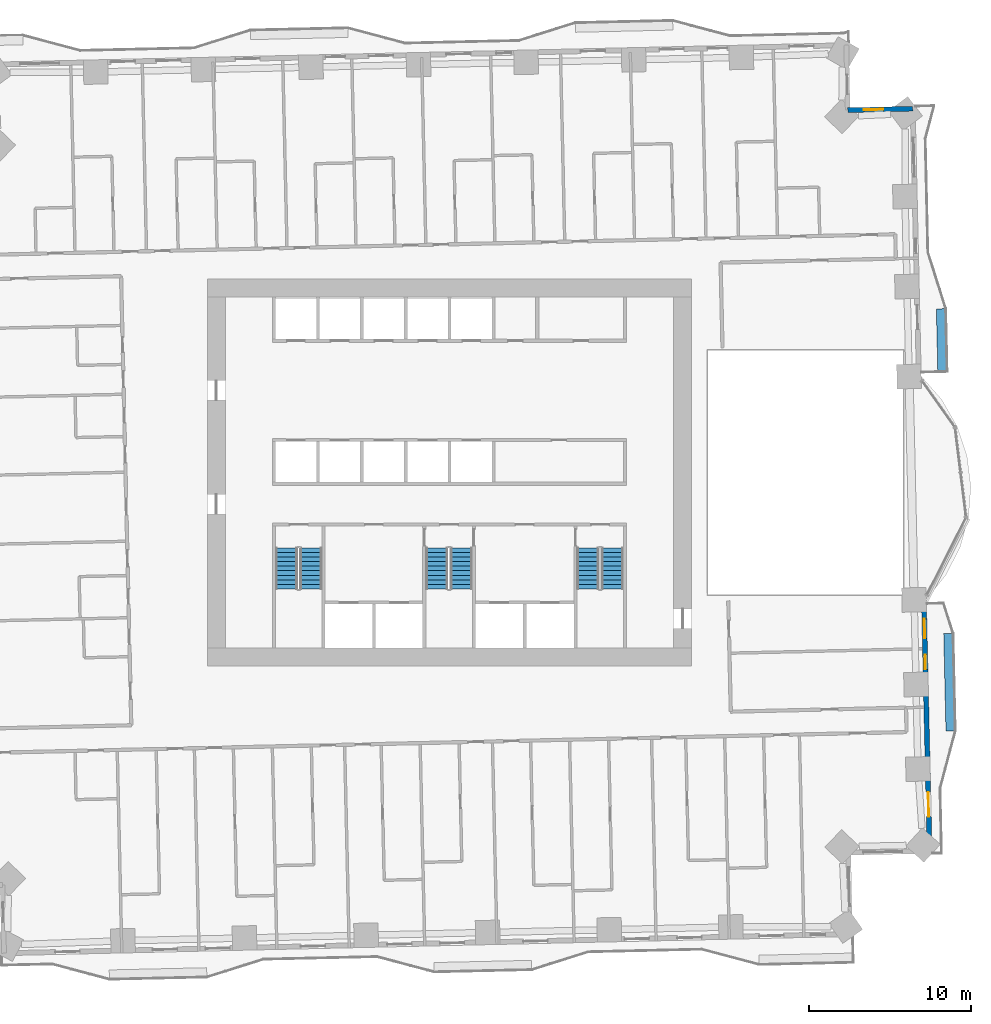
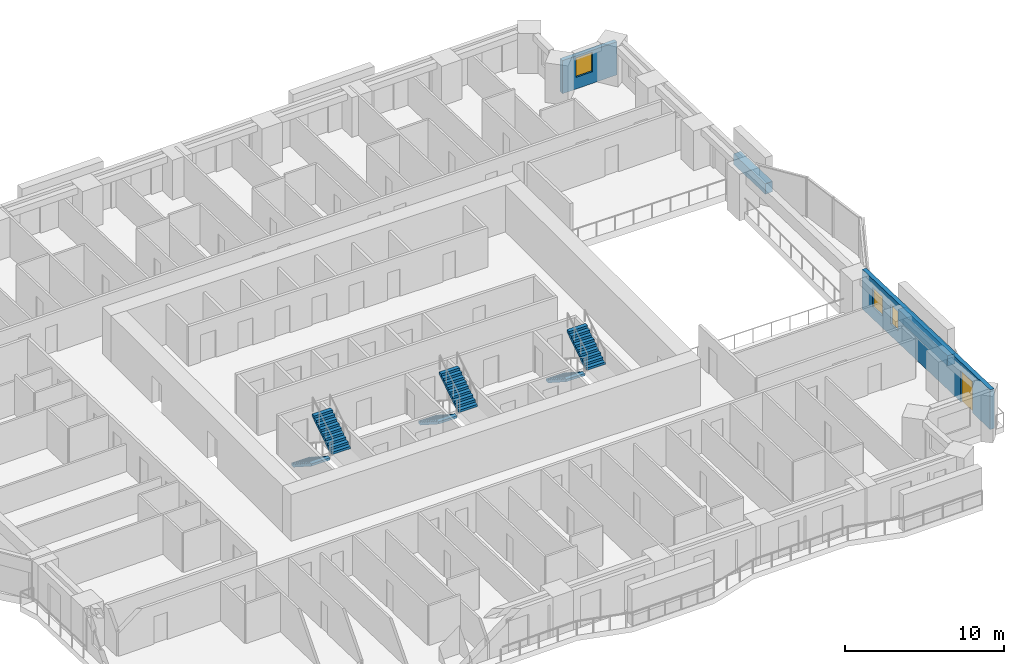
# One storey, part 12 of 16: 6 stair flights, 4 walls, 3 windows, 1 door, 4 openings, 3 elements without a shape of their own.
"""IFC4 building model written with IfcOpenShell, lengths in metres."""

import ifcopenshell
import ifcopenshell.guid

model = None  # the IFC model being written
_history = None  # IfcOwnerHistory: only IFC2X3 demands one
_inside = {}  # id of a spatial element -> (the spatial element, [elements in it])
_under = {}  # id of a project, library or spatial element -> (it, [spatial elements below it])
_declared = {}  # id of a project -> (the project, [libraries it declares])
_typed = {}  # id of a type object -> (the type object, [elements of that type])
_made_of = {}  # id of a material, layer set ... -> (it, [elements and type objects made of it])


def new_model(schema):
    """Start an empty IFC model of exactly this schema.

    Asked for "IFC4X3", IfcOpenShell would pick the latest addendum, in which some entities
    have other attributes; the version numbers below select the first issue.
    IFC2X3 requires an IfcOwnerHistory on every rooted entity: one is made here for all.
    """
    global model, _history
    if schema == "IFC4X3":
        model = ifcopenshell.file(schema_version=(4, 3, 0, 0))
    else:
        model = ifcopenshell.file(schema=schema)
    _inside.clear()
    _under.clear()
    _declared.clear()
    _typed.clear()
    _made_of.clear()
    _history = None
    if model.schema == "IFC2X3":
        org = make("IfcOrganization", Name="unknown")
        user = make(
            "IfcPersonAndOrganization",
            ThePerson=make("IfcPerson", FamilyName="unknown"),
            TheOrganization=org,
        )
        app = make(
            "IfcApplication",
            ApplicationDeveloper=org,
            Version="unknown",
            ApplicationFullName="unknown",
            ApplicationIdentifier="unknown",
        )
        _history = make(
            "IfcOwnerHistory",
            OwningUser=user,
            OwningApplication=app,
            ChangeAction="ADDED",
            CreationDate=0,
        )
    return model


def make(cls, **values):
    """One entity of the class cls with the attributes given. An attribute that is None is left unset."""
    return model.create_entity(
        cls, **{name: value for name, value in values.items() if value is not None}
    )


def rooted(cls, **values):
    """An entity with a GlobalId (a new one), such as an element, a storey or a relation."""
    return make(cls, GlobalId=ifcopenshell.guid.new(), OwnerHistory=_history, **values)


def si_unit(unit_type, name, prefix=None):
    """IfcSIUnit, for example si_unit("LENGTHUNIT", "METRE", prefix="MILLI")."""
    return make("IfcSIUnit", UnitType=unit_type, Prefix=prefix, Name=name)


def assignment(units):
    """IfcUnitAssignment: the units of a project."""
    return None if units is None else make("IfcUnitAssignment", Units=units)


def point(xyz):
    """IfcCartesianPoint."""
    return None if xyz is None else make("IfcCartesianPoint", Coordinates=xyz)


def direction(xyz):
    """IfcDirection."""
    return None if xyz is None else make("IfcDirection", DirectionRatios=xyz)


def frame(location, z_axis=None, x_axis=None):
    """IfcAxis2Placement3D, a coordinate frame: its origin and axes. An axis left out is left unset."""
    return make(
        "IfcAxis2Placement3D",
        Location=point(location),
        Axis=direction(z_axis),
        RefDirection=direction(x_axis),
    )


def frame_2d(location, x_axis=None):
    """IfcAxis2Placement2D, a coordinate frame in the plane: its origin and x axis."""
    return make(
        "IfcAxis2Placement2D", Location=point(location), RefDirection=direction(x_axis)
    )


def origin():
    """The frame at (0, 0, 0) with its axes left unset."""
    return frame((0.0, 0.0, 0.0))


def place(relative_to, where):
    """IfcLocalPlacement: puts the frame where relative to a parent placement (None: the world)."""
    return make(
        "IfcLocalPlacement", PlacementRelTo=relative_to, RelativePlacement=where
    )


def context(
    kind, dimensions, precision=None, world=None, true_north=None, identifier=None
):
    """IfcGeometricRepresentationContext, for example the 3D "Model" context."""
    return make(
        "IfcGeometricRepresentationContext",
        ContextIdentifier=identifier,
        ContextType=kind,
        CoordinateSpaceDimension=dimensions,
        Precision=precision,
        WorldCoordinateSystem=world,
        TrueNorth=true_north,
    )


def subcontext(parent, identifier, kind, view, scale=None):
    """IfcGeometricRepresentationSubContext, for example "Body" below "Model"."""
    return make(
        "IfcGeometricRepresentationSubContext",
        ContextIdentifier=identifier,
        ContextType=kind,
        ParentContext=parent,
        TargetScale=scale,
        TargetView=view,
    )


def project(units=None, contexts=None):
    """IfcProject with its units and contexts."""
    return rooted(
        "IfcProject",
        Name="project",
        RepresentationContexts=contexts,
        UnitsInContext=assignment(units),
    )


def spatial(cls, under=None, at=None, **own):
    """A site, building, storey or space (cls), placed at a placement, below another one or the project."""
    s = rooted(cls, ObjectPlacement=at, **own)
    if under is not None:
        _under.setdefault(under.id(), (under, []))[1].append(s)
    return s


def polyline(points):
    """IfcPolyline through the points."""
    return make("IfcPolyline", Points=[point(p) for p in points])


def profile(cls, at=None, kind="AREA", **sizes):
    """A parametric profile (cls). Its sizes go by their IFC names, for example OverallWidth=200.0."""
    return make(cls, ProfileType=kind, Position=at, **sizes)


def rectangle(**sizes):
    """IfcRectangleProfileDef."""
    return profile("IfcRectangleProfileDef", **sizes)


def outline(outer, holes=None, kind="AREA"):
    """IfcArbitraryClosedProfileDef: a profile drawn as a closed curve; with holes, ...WithVoids."""
    if holes is None:
        return make("IfcArbitraryClosedProfileDef", ProfileType=kind, OuterCurve=outer)
    return make(
        "IfcArbitraryProfileDefWithVoids",
        ProfileType=kind,
        OuterCurve=outer,
        InnerCurves=holes,
    )


def extrude(swept, where, along, depth):
    """IfcExtrudedAreaSolid: the profile swept, set in the frame where, extruded along a direction by depth."""
    return make(
        "IfcExtrudedAreaSolid",
        SweptArea=swept,
        Position=where,
        ExtrudedDirection=direction(along),
        Depth=depth,
    )


def shape(context_of_items, identifier, shape_type, items):
    """IfcShapeRepresentation: the items that make up one representation, for example the "Body"."""
    return make(
        "IfcShapeRepresentation",
        ContextOfItems=context_of_items,
        RepresentationIdentifier=identifier,
        RepresentationType=shape_type,
        Items=items,
    )


def material(Name=None, Category=None):
    """IfcMaterial."""
    return make("IfcMaterial", Name=Name, Category=Category)


def layer(
    of_material, thickness, ventilated=None, Name=None, Category=None, Priority=None
):
    """IfcMaterialLayer: one layer of a wall or slab, of a material (None: an air gap)."""
    return make(
        "IfcMaterialLayer",
        Material=of_material,
        LayerThickness=thickness,
        IsVentilated=ventilated,
        Name=Name,
        Category=Category,
        Priority=Priority,
    )


def layer_set(layers, Name=None):
    """IfcMaterialLayerSet."""
    return make("IfcMaterialLayerSet", MaterialLayers=layers, LayerSetName=Name)


def made_of(thing, what):
    """Note that an element or type object is made of a material, layer set ...; save() writes the relation."""
    if what is not None:
        _made_of.setdefault(what.id(), (what, []))[1].append(thing)
    return thing


def type_object(cls, material=None, **own):
    """A type object (cls), such as IfcWallType, which elements share."""
    return made_of(rooted(cls, **own), material)


def element(
    cls,
    number,
    at=None,
    inside=None,
    cuts=None,
    type_object=None,
    material=None,
    context=None,
    identifier="Body",
    shape_type=None,
    held_by="IfcProductDefinitionShape",
    body=None,
    shapes=None,
    **own,
):
    """One element of the class cls, such as IfcWall. Its Tag is "e" and its number.

    at: its placement. inside: the storey or other place that contains it. cuts: it is an
    opening in that element (IfcRelVoidsElement). A single representation is given by context,
    identifier, shape_type and body (its items); several are given by shapes. held_by: the class
    of the entity that holds the representations. save() writes the other relations.
    """
    e = rooted(cls, Tag="e%d" % number, ObjectPlacement=at, **own)
    if body is not None:
        shapes = [shape(context, identifier, shape_type, body)]
    if shapes is not None:
        e.Representation = make(held_by, Representations=shapes)
    if inside is not None:
        _inside.setdefault(inside.id(), (inside, []))[1].append(e)
    if cuts is not None:
        rooted(
            "IfcRelVoidsElement", RelatingBuildingElement=cuts, RelatedOpeningElement=e
        )
    if type_object is not None:
        _typed.setdefault(type_object.id(), (type_object, []))[1].append(e)
    return made_of(e, material)


def fill(opening, filler):
    """IfcRelFillsElement: the door or window that sits in an opening."""
    return rooted(
        "IfcRelFillsElement",
        RelatingOpeningElement=opening,
        RelatedBuildingElement=filler,
    )


def aggregate(whole, parts):
    """IfcRelAggregates: a whole, such as a stair, and the parts it consists of."""
    return rooted("IfcRelAggregates", RelatingObject=whole, RelatedObjects=parts)


def save(model, path):
    """Write the relations noted so far, then the file.

    IfcRelAggregates (storeys below a building ...), IfcRelContainedInSpatialStructure (elements
    in a storey), IfcRelDefinesByType, IfcRelAssociatesMaterial and IfcRelDeclares: one each for
    every whole, place, type object, material and project.
    """
    for whole, parts in _under.values():
        aggregate(whole, parts)
    for where, things in _inside.values():
        rooted(
            "IfcRelContainedInSpatialStructure",
            RelatedElements=things,
            RelatingStructure=where,
        )
    for kind, things in _typed.values():
        rooted("IfcRelDefinesByType", RelatedObjects=things, RelatingType=kind)
    for what, things in _made_of.values():
        rooted("IfcRelAssociatesMaterial", RelatedObjects=things, RelatingMaterial=what)
    for by, libraries in _declared.values():
        rooted("IfcRelDeclares", RelatingContext=by, RelatedDefinitions=libraries)
    model.write(path)


model = new_model("IFC4")

# Units and contexts
model_context = context("Model", 3, precision=1e-05, world=origin(), true_north=direction((0.0, 1.0)))
body_context = subcontext(model_context, "Body", "Model", "MODEL_VIEW")
ifc_project = project(units=[si_unit("LENGTHUNIT", "METRE"), si_unit("AREAUNIT", "SQUARE_METRE"), si_unit("VOLUMEUNIT", "CUBIC_METRE"), si_unit("PLANEANGLEUNIT", "RADIAN"), si_unit("MASSUNIT", "GRAM", prefix="KILO")], contexts=[model_context])

# Site, building, storey
site_placement = place(None, origin())
site = spatial("IfcSite", under=ifc_project, at=site_placement, CompositionType="ELEMENT")
building_placement = place(site_placement, origin())
building = spatial("IfcBuilding", under=site, at=building_placement, Name="Mangrove Gate Tower", CompositionType="ELEMENT")
storey_placement = place(building_placement, frame((0.0, 0.0, 48.5)))
storey = spatial("IfcBuildingStorey", under=building, at=storey_placement, Name="L11", CompositionType="ELEMENT", Elevation=48.5)

# Wall, openings, door, windows
ifc_material_1 = material(Name="Limestone", Category="masonry")
ifc_layer_1 = layer(ifc_material_1, 0.0400390625, Name="Limestone cladding")
ifc_material_2 = material(Name="Ventilated air gap")
ifc_layer_2 = layer(ifc_material_2, 0.0400390625, Name="Ventilated cavity")
ifc_material_3 = material(Name="Mineral wool insulation")
ifc_layer_3 = layer(ifc_material_3, 0.06005859375, Name="Insulation")
ifc_material_4 = material(Name="Breather membrane")
ifc_layer_4 = layer(ifc_material_4, 0.001953125, Name="Breather membrane")
ifc_material_5 = material(Name="Concrete C20/25 blockwork", Category="masonry")
ifc_layer_5 = layer(ifc_material_5, 0.14990234375, Name="Blockwork backing wall")
ifc_material_6 = material(Name="Gypsum plaster")
ifc_layer_6 = layer(ifc_material_6, 0.008056640625, Name="Internal plaster")
ifc_layer_set_1 = layer_set([ifc_layer_1, ifc_layer_2, ifc_layer_3, ifc_layer_4, ifc_layer_5, ifc_layer_6], Name="External wall 300 limestone cladding")
wall_type_1 = type_object("IfcWallType", Name="External wall 300 limestone cladding", PredefinedType="SOLIDWALL", material=ifc_layer_set_1)
wall_1_placement = place(storey_placement, frame((29.549072265625, -23.299072265625, 0.0), z_axis=(0.0, 0.0, 1.0), x_axis=(-0.022670336976, 0.999742994885, 0.0)))
wall_1 = element("IfcWall", 1, at=wall_1_placement, inside=storey, type_object=wall_type_1, Name="WALL-L11-E0", PredefinedType="SOLIDWALL", context=body_context, shape_type="SweptSolid", body=[
    extrude(rectangle(XDim=15.529052734375, YDim=0.300048828125, at=frame_2d((7.7646484375, 0.0))), origin(), (0.0, 0.0, 1.0), 3.050048828125),
])
opening_1_placement = place(wall_1_placement, frame((2.118896484375, 0.0, 0.0)))
opening_1 = element("IfcOpeningElement", 2, at=opening_1_placement, cuts=wall_1, Name="Opening BD1", PredefinedType="OPENING", context=body_context, shape_type="SweptSolid", body=[
    extrude(rectangle(XDim=1.5, YDim=2.39990234375, at=frame_2d((0.75, 1.199951171875))), frame((0.0, 0.159912109375, 0.0), z_axis=(0.0, -1.0, 0.0), x_axis=(1.0, 0.0, 0.0)), (0.0, 0.0, 1.0), 0.320068359375),
])
opening_2_placement = place(wall_1_placement, frame((11.18310546875, 0.0, 0.89990234375)))
opening_2 = element("IfcOpeningElement", 3, at=opening_2_placement, cuts=wall_1, Name="Opening W5", PredefinedType="OPENING", context=body_context, shape_type="SweptSolid", body=[
    extrude(rectangle(XDim=0.89990234375, YDim=1.5, at=frame_2d((0.449951171875, 0.75))), frame((0.0, 0.159912109375, 0.0), z_axis=(0.0, -1.0, 0.0), x_axis=(1.0, 0.0, 0.0)), (0.0, 0.0, 1.0), 0.320068359375),
])
opening_3_placement = place(wall_1_placement, frame((13.0869140625, 0.0, 0.89990234375)))
opening_3 = element("IfcOpeningElement", 4, at=opening_3_placement, cuts=wall_1, Name="Opening W1", PredefinedType="OPENING", context=body_context, shape_type="SweptSolid", body=[
    extrude(rectangle(XDim=1.199951171875, YDim=1.5, at=frame_2d((0.60009765625, 0.75))), frame((0.0, 0.159912109375, 0.0), z_axis=(0.0, -1.0, 0.0), x_axis=(1.0, 0.0, 0.0)), (0.0, 0.0, 1.0), 0.320068359375),
])
ifc_material_7 = material(Name="Aluminium frame with laminated clear glass", Category="aluminium")
door_type = type_object("IfcDoorType", Name="Balcony sliding door 1500x2400", OperationType="SLIDING_TO_LEFT", PredefinedType="DOOR", material=ifc_material_7)
door_placement = place(opening_1_placement, origin())
door = element("IfcDoor", 5, at=door_placement, inside=storey, type_object=door_type, Name="DOOR-L11-E0-1", OperationType="SLIDING_TO_LEFT", OverallHeight=2.39990234375, OverallWidth=1.5, PredefinedType="DOOR", context=body_context, shape_type="SweptSolid", body=[
    extrude(rectangle(XDim=1.5, YDim=2.39990234375, at=frame_2d((0.75, 1.199951171875))), frame((0.0, 0.02490234375, 0.0), z_axis=(0.0, -1.0, 0.0), x_axis=(1.0, 0.0, 0.0)), (0.0, 0.0, 1.0), 0.050048828125),
])
fill(opening_1, door)
ifc_material_8 = material(Name="Aluminium frame with double-glazed low-e glass", Category="aluminium")
window_type_1 = type_object("IfcWindowType", Name="Narrow window 900x1500", PartitioningType="SINGLE_PANEL", PredefinedType="WINDOW", material=ifc_material_8)
window_1_placement = place(opening_2_placement, origin())
window_1 = element("IfcWindow", 6, at=window_1_placement, inside=storey, type_object=window_type_1, Name="WIN-L11-E0-2", OverallHeight=1.5, OverallWidth=0.89990234375, PartitioningType="SINGLE_PANEL", PredefinedType="WINDOW", context=body_context, shape_type="SweptSolid", body=[
    extrude(rectangle(XDim=0.89990234375, YDim=1.5, at=frame_2d((0.449951171875, 0.75))), frame((0.0, 0.030029296875, 0.0), z_axis=(0.0, -1.0, 0.0), x_axis=(1.0, 0.0, 0.0)), (0.0, 0.0, 1.0), 0.06005859375),
])
fill(opening_2, window_1)
ifc_material_9 = material(Name="Aluminium frame with double-glazed low-e glass", Category="aluminium")
window_type_2 = type_object("IfcWindowType", Name="Side lite 1200x1500", PartitioningType="SINGLE_PANEL", PredefinedType="WINDOW", material=ifc_material_9)
window_2_placement = place(opening_3_placement, origin())
window_2 = element("IfcWindow", 7, at=window_2_placement, inside=storey, type_object=window_type_2, Name="WIN-L11-E0-3", OverallHeight=1.5, OverallWidth=1.199951171875, PartitioningType="SINGLE_PANEL", PredefinedType="WINDOW", context=body_context, shape_type="SweptSolid", body=[
    extrude(rectangle(XDim=1.199951171875, YDim=1.5, at=frame_2d((0.60009765625, 0.75))), frame((0.0, 0.030029296875, 0.0), z_axis=(0.0, -1.0, 0.0), x_axis=(1.0, 0.0, 0.0)), (0.0, 0.0, 1.0), 0.06005859375),
])
fill(opening_3, window_2)

# Wall, opening, window
wall_2_placement = place(storey_placement, frame((28.511962890625, 22.388916015625, 0.0), z_axis=(0.0, 0.0, 1.0), x_axis=(-0.999747725427, -0.022460754759, 0.0)))
wall_2 = element("IfcWall", 8, at=wall_2_placement, inside=storey, type_object=wall_type_1, Name="WALL-L11-N3", PredefinedType="SOLIDWALL", context=body_context, shape_type="SweptSolid", body=[
    extrude(rectangle(XDim=4.0, YDim=0.300048828125, at=frame_2d((2.0, 0.0))), origin(), (0.0, 0.0, 1.0), 2.550048828125),
])
opening_4_placement = place(wall_2_placement, frame((1.81201171875, 0.0, 0.89990234375)))
opening_4 = element("IfcOpeningElement", 9, at=opening_4_placement, cuts=wall_2, Name="Opening W1", PredefinedType="OPENING", context=body_context, shape_type="SweptSolid", body=[
    extrude(rectangle(XDim=1.199951171875, YDim=1.5, at=frame_2d((0.60009765625, 0.75))), frame((0.0, 0.159912109375, 0.0), z_axis=(0.0, -1.0, 0.0), x_axis=(1.0, 0.0, 0.0)), (0.0, 0.0, 1.0), 0.320068359375),
])
window_3_placement = place(opening_4_placement, origin())
window_3 = element("IfcWindow", 10, at=window_3_placement, inside=storey, type_object=window_type_2, Name="WIN-L11-N3-1", OverallHeight=1.5, OverallWidth=1.199951171875, PartitioningType="SINGLE_PANEL", PredefinedType="WINDOW", context=body_context, shape_type="SweptSolid", body=[
    extrude(rectangle(XDim=1.199951171875, YDim=1.5, at=frame_2d((0.60009765625, 0.75))), frame((0.0, 0.030029296875, 0.0), z_axis=(0.0, -1.0, 0.0), x_axis=(1.0, 0.0, 0.0)), (0.0, 0.0, 1.0), 0.06005859375),
])
fill(opening_4, window_3)

# Walls
ifc_material_10 = material(Name="Concrete C32/40", Category="concrete")
ifc_layer_7 = layer(ifc_material_10, 0.199951171875, Name="Planter trough wall")
ifc_material_11 = material(Name="Bituminous waterproofing membrane")
ifc_layer_8 = layer(ifc_material_11, 0.0048828125, Name="Waterproofing")
ifc_material_12 = material(Name="Drainage board and gravel")
ifc_layer_9 = layer(ifc_material_12, 0.044921875, Name="Drainage layer")
ifc_material_13 = material(Name="Planting soil")
ifc_layer_10 = layer(ifc_material_13, 0.300048828125, Name="Growing medium")
ifc_layer_set_2 = layer_set([ifc_layer_7, ifc_layer_8, ifc_layer_9, ifc_layer_10], Name="Planter wall 550 C32/40")
wall_type_2 = type_object("IfcWallType", Name="Planter wall 550 C32/40", PredefinedType="USERDEFINED", material=ifc_layer_set_2)
wall_3_placement = place(storey_placement, frame((30.83203125, -15.91796875, 0.0), z_axis=(0.0, 0.0, 1.0), x_axis=(-0.022828630714, 0.999739392852, 0.0)))
element("IfcWall", 11, at=wall_3_placement, inside=storey, type_object=wall_type_2, Name="PLANTER L11 E0.1", ObjectType="PLANTER", PredefinedType="USERDEFINED", context=body_context, shape_type="SweptSolid", body=[
    extrude(rectangle(XDim=5.99951171875, YDim=0.550048828125, at=frame_2d((2.999755859375, 0.0))), origin(), (0.0, 0.0, 1.0), 0.800048828125),
])
wall_4_placement = place(storey_placement, frame((30.330078125, 6.200927734375, 0.0), z_axis=(0.0, 0.0, 1.0), x_axis=(-0.022744303924, 0.999741314861, 0.0)))
element("IfcWall", 12, at=wall_4_placement, inside=storey, type_object=wall_type_2, Name="PLANTER L11 E1.1", ObjectType="PLANTER", PredefinedType="USERDEFINED", context=body_context, shape_type="SweptSolid", body=[
    extrude(rectangle(XDim=3.875, YDim=0.550048828125, at=frame_2d((1.9375, 0.0))), origin(), (0.0, 0.0, 1.0), 0.800048828125),
])

# Stair, stair flights
ifc_material_14 = material(Name="Concrete C40/50", Category="concrete")
stair_type = type_object("IfcStairType", Name="Core stair 1350", PredefinedType="HALF_TURN_STAIR", material=ifc_material_14)
stair_1_placement = place(storey_placement, origin())
stair_1 = element("IfcStair", 13, at=stair_1_placement, inside=storey, type_object=stair_type, Name="L11 Stair 1", PredefinedType="HALF_TURN_STAIR")
ifc_material_15 = material(Name="Concrete C40/50", Category="concrete")
stair_flight_type = type_object("IfcStairFlightType", Name="Core stair flight 1350", PredefinedType="STRAIGHT", material=ifc_material_15)
stair_flight_1_placement = place(storey_placement, frame((-10.02490234375, -4.64990234375, 0.0), z_axis=(0.0, 0.0, 1.0), x_axis=(0.0, -1.0, 0.0)))
stair_flight_1 = element("IfcStairFlight", 14, at=stair_flight_1_placement, type_object=stair_flight_type, Name="ST1 flight 1", NumberOfRisers=10, NumberOfTreads=9, PredefinedType="STRAIGHT", RiserHeight=0.18, TreadLength=0.28, context=body_context, shape_type="SweptSolid", body=[
    extrude(outline(polyline([(0.0, 0.0), (0.0, 0.179931640625), (0.280029296875, 0.179931640625), (0.280029296875, 0.360107421875), (0.56005859375, 0.360107421875), (0.56005859375, 0.5400390625), (0.840087890625, 0.5400390625), (0.840087890625, 0.719970703125), (1.1201171875, 0.719970703125), (1.1201171875, 0.89990234375), (1.39990234375, 0.89990234375), (1.39990234375, 1.080078125), (1.679931640625, 1.080078125), (1.679931640625, 1.260009765625), (1.9599609375, 1.260009765625), (1.9599609375, 1.43994140625), (2.239990234375, 1.43994140625), (2.239990234375, 1.6201171875), (2.52001953125, 1.6201171875), (2.52001953125, 1.800048828125), (2.52001953125, 1.44189453125), (0.277099609375, 0.0), (0.0, 0.0)])), frame((0.0, 0.675048828125, 0.0), z_axis=(0.0, -1.0, 0.0), x_axis=(1.0, 0.0, 0.0)), (0.0, 0.0, 1.0), 1.35009765625),
])
stair_flight_2_placement = place(storey_placement, frame((-8.52490234375, -7.169921875, 1.800048828125), z_axis=(0.0, 0.0, 1.0), x_axis=(0.0, 1.0, 0.0)))
stair_flight_2 = element("IfcStairFlight", 15, at=stair_flight_2_placement, type_object=stair_flight_type, Name="ST1 flight 2", NumberOfRisers=10, NumberOfTreads=9, PredefinedType="STRAIGHT", RiserHeight=0.18, TreadLength=0.28, context=body_context, shape_type="SweptSolid", body=[
    extrude(outline(polyline([(0.0, 0.0), (0.0, 0.179931640625), (0.280029296875, 0.179931640625), (0.280029296875, 0.360107421875), (0.56005859375, 0.360107421875), (0.56005859375, 0.5400390625), (0.840087890625, 0.5400390625), (0.840087890625, 0.719970703125), (1.1201171875, 0.719970703125), (1.1201171875, 0.89990234375), (1.39990234375, 0.89990234375), (1.39990234375, 1.080078125), (1.679931640625, 1.080078125), (1.679931640625, 1.260009765625), (1.9599609375, 1.260009765625), (1.9599609375, 1.43994140625), (2.239990234375, 1.43994140625), (2.239990234375, 1.6201171875), (2.52001953125, 1.6201171875), (2.52001953125, 1.800048828125), (2.52001953125, 1.44189453125), (0.277099609375, 0.0), (0.0, 0.0)])), frame((0.0, 0.675048828125, 0.0), z_axis=(0.0, -1.0, 0.0), x_axis=(1.0, 0.0, 0.0)), (0.0, 0.0, 1.0), 1.35009765625),
])
aggregate(stair_1, [stair_flight_1, stair_flight_2])

stair_2_placement = place(storey_placement, origin())
stair_2 = element("IfcStair", 16, at=stair_2_placement, inside=storey, type_object=stair_type, Name="L11 Stair 2", PredefinedType="HALF_TURN_STAIR")
stair_flight_3_placement = place(storey_placement, frame((-0.77490234375, -4.64990234375, 0.0), z_axis=(0.0, 0.0, 1.0), x_axis=(0.0, -1.0, 0.0)))
stair_flight_3 = element("IfcStairFlight", 17, at=stair_flight_3_placement, type_object=stair_flight_type, Name="ST2 flight 1", NumberOfRisers=10, NumberOfTreads=9, PredefinedType="STRAIGHT", RiserHeight=0.18, TreadLength=0.28, context=body_context, shape_type="SweptSolid", body=[
    extrude(outline(polyline([(0.0, 0.0), (0.0, 0.179931640625), (0.280029296875, 0.179931640625), (0.280029296875, 0.360107421875), (0.56005859375, 0.360107421875), (0.56005859375, 0.5400390625), (0.840087890625, 0.5400390625), (0.840087890625, 0.719970703125), (1.1201171875, 0.719970703125), (1.1201171875, 0.89990234375), (1.39990234375, 0.89990234375), (1.39990234375, 1.080078125), (1.679931640625, 1.080078125), (1.679931640625, 1.260009765625), (1.9599609375, 1.260009765625), (1.9599609375, 1.43994140625), (2.239990234375, 1.43994140625), (2.239990234375, 1.6201171875), (2.52001953125, 1.6201171875), (2.52001953125, 1.800048828125), (2.52001953125, 1.44189453125), (0.277099609375, 0.0), (0.0, 0.0)])), frame((0.0, 0.675048828125, 0.0), z_axis=(0.0, -1.0, 0.0), x_axis=(1.0, 0.0, 0.0)), (0.0, 0.0, 1.0), 1.35009765625),
])
stair_flight_4_placement = place(storey_placement, frame((0.72509765625, -7.169921875, 1.800048828125), z_axis=(0.0, 0.0, 1.0), x_axis=(0.0, 1.0, 0.0)))
stair_flight_4 = element("IfcStairFlight", 18, at=stair_flight_4_placement, type_object=stair_flight_type, Name="ST2 flight 2", NumberOfRisers=10, NumberOfTreads=9, PredefinedType="STRAIGHT", RiserHeight=0.18, TreadLength=0.28, context=body_context, shape_type="SweptSolid", body=[
    extrude(outline(polyline([(0.0, 0.0), (0.0, 0.179931640625), (0.280029296875, 0.179931640625), (0.280029296875, 0.360107421875), (0.56005859375, 0.360107421875), (0.56005859375, 0.5400390625), (0.840087890625, 0.5400390625), (0.840087890625, 0.719970703125), (1.1201171875, 0.719970703125), (1.1201171875, 0.89990234375), (1.39990234375, 0.89990234375), (1.39990234375, 1.080078125), (1.679931640625, 1.080078125), (1.679931640625, 1.260009765625), (1.9599609375, 1.260009765625), (1.9599609375, 1.43994140625), (2.239990234375, 1.43994140625), (2.239990234375, 1.6201171875), (2.52001953125, 1.6201171875), (2.52001953125, 1.800048828125), (2.52001953125, 1.44189453125), (0.277099609375, 0.0), (0.0, 0.0)])), frame((0.0, 0.675048828125, 0.0), z_axis=(0.0, -1.0, 0.0), x_axis=(1.0, 0.0, 0.0)), (0.0, 0.0, 1.0), 1.35009765625),
])
aggregate(stair_2, [stair_flight_3, stair_flight_4])

stair_3_placement = place(storey_placement, origin())
stair_3 = element("IfcStair", 19, at=stair_3_placement, inside=storey, type_object=stair_type, Name="L11 Stair 3", PredefinedType="HALF_TURN_STAIR")
stair_flight_5_placement = place(storey_placement, frame((8.52490234375, -4.64990234375, 0.0), z_axis=(0.0, 0.0, 1.0), x_axis=(0.0, -1.0, 0.0)))
stair_flight_5 = element("IfcStairFlight", 20, at=stair_flight_5_placement, type_object=stair_flight_type, Name="ST3 flight 1", NumberOfRisers=10, NumberOfTreads=9, PredefinedType="STRAIGHT", RiserHeight=0.18, TreadLength=0.28, context=body_context, shape_type="SweptSolid", body=[
    extrude(outline(polyline([(0.0, 0.0), (0.0, 0.179931640625), (0.280029296875, 0.179931640625), (0.280029296875, 0.360107421875), (0.56005859375, 0.360107421875), (0.56005859375, 0.5400390625), (0.840087890625, 0.5400390625), (0.840087890625, 0.719970703125), (1.1201171875, 0.719970703125), (1.1201171875, 0.89990234375), (1.39990234375, 0.89990234375), (1.39990234375, 1.080078125), (1.679931640625, 1.080078125), (1.679931640625, 1.260009765625), (1.9599609375, 1.260009765625), (1.9599609375, 1.43994140625), (2.239990234375, 1.43994140625), (2.239990234375, 1.6201171875), (2.52001953125, 1.6201171875), (2.52001953125, 1.800048828125), (2.52001953125, 1.44189453125), (0.277099609375, 0.0), (0.0, 0.0)])), frame((0.0, 0.675048828125, 0.0), z_axis=(0.0, -1.0, 0.0), x_axis=(1.0, 0.0, 0.0)), (0.0, 0.0, 1.0), 1.35009765625),
])
stair_flight_6_placement = place(storey_placement, frame((10.02490234375, -7.169921875, 1.800048828125), z_axis=(0.0, 0.0, 1.0), x_axis=(0.0, 1.0, 0.0)))
stair_flight_6 = element("IfcStairFlight", 21, at=stair_flight_6_placement, type_object=stair_flight_type, Name="ST3 flight 2", NumberOfRisers=10, NumberOfTreads=9, PredefinedType="STRAIGHT", RiserHeight=0.18, TreadLength=0.28, context=body_context, shape_type="SweptSolid", body=[
    extrude(outline(polyline([(0.0, 0.0), (0.0, 0.179931640625), (0.280029296875, 0.179931640625), (0.280029296875, 0.360107421875), (0.56005859375, 0.360107421875), (0.56005859375, 0.5400390625), (0.840087890625, 0.5400390625), (0.840087890625, 0.719970703125), (1.1201171875, 0.719970703125), (1.1201171875, 0.89990234375), (1.39990234375, 0.89990234375), (1.39990234375, 1.080078125), (1.679931640625, 1.080078125), (1.679931640625, 1.260009765625), (1.9599609375, 1.260009765625), (1.9599609375, 1.43994140625), (2.239990234375, 1.43994140625), (2.239990234375, 1.6201171875), (2.52001953125, 1.6201171875), (2.52001953125, 1.800048828125), (2.52001953125, 1.44189453125), (0.277099609375, 0.0), (0.0, 0.0)])), frame((0.0, 0.675048828125, 0.0), z_axis=(0.0, -1.0, 0.0), x_axis=(1.0, 0.0, 0.0)), (0.0, 0.0, 1.0), 1.35009765625),
])
aggregate(stair_3, [stair_flight_5, stair_flight_6])

save(model, "model.ifc")
